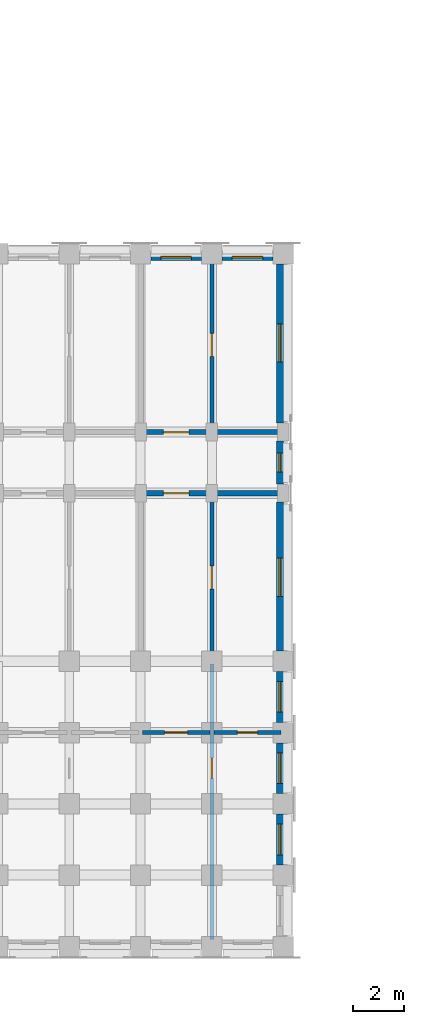
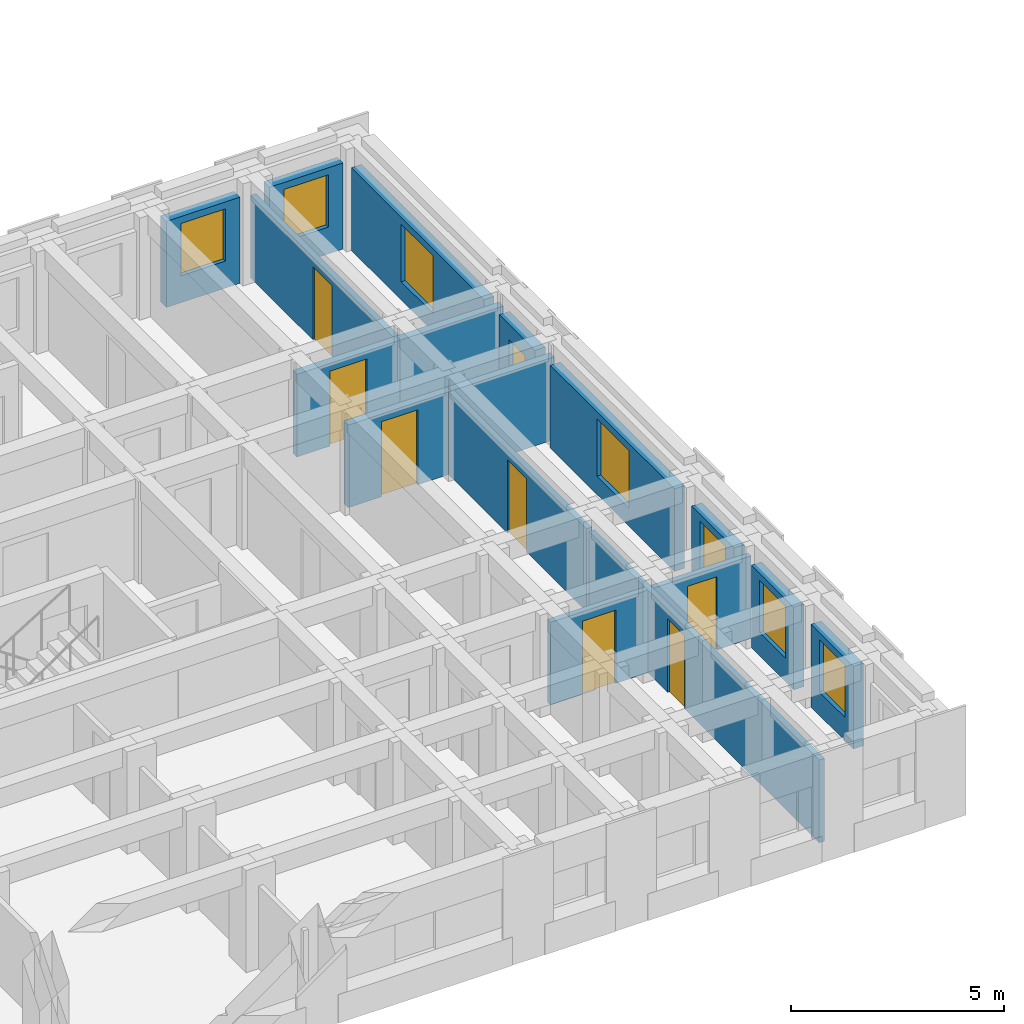
# One storey, part 21 of 54: 17 walls, 8 windows, 7 doors, 15 openings.
"""IFC4 building model written with IfcOpenShell, lengths in metres."""

from ifc_helpers import new_model, si_unit, direction, frame, frame_2d, origin, place, context, subcontext, project, spatial, rectangle, extrude, material, layer, layer_set, type_object, element, fill, save


model = new_model("IFC4")

# Units and contexts
model_context = context("Model", 3, precision=1e-05, world=origin(), true_north=direction((0.0, 1.0)))
body_context = subcontext(model_context, "Body", "Model", "MODEL_VIEW")
ifc_project = project(units=[si_unit("LENGTHUNIT", "METRE"), si_unit("AREAUNIT", "SQUARE_METRE"), si_unit("VOLUMEUNIT", "CUBIC_METRE"), si_unit("PLANEANGLEUNIT", "RADIAN"), si_unit("MASSUNIT", "GRAM", prefix="KILO")], contexts=[model_context])

# Site, building, storey
site_placement = place(None, origin())
site = spatial("IfcSite", under=ifc_project, at=site_placement, CompositionType="ELEMENT")
building_placement = place(site_placement, origin())
building = spatial("IfcBuilding", under=site, at=building_placement, Name="Kiranvali Square Residences", CompositionType="ELEMENT")
storey_placement = place(building_placement, frame((0.0, 0.0, 15.0)))
storey = spatial("IfcBuildingStorey", under=building, at=storey_placement, Name="L04", CompositionType="ELEMENT", Elevation=15.0)

# Wall, opening, door
ifc_material_1 = material(Name="Autoclaved aerated concrete blockwork masonry", Category="masonry")
ifc_layer_1 = layer(ifc_material_1, 0.199951171875)
ifc_layer_set_1 = layer_set([ifc_layer_1], Name="Autoclaved aerated concrete blockwork masonry")
wall_type_1 = type_object("IfcWallType", Name="WL-COR-200", PredefinedType="STANDARD", material=ifc_layer_set_1)
wall_1_placement = place(storey_placement, frame((65.0, 22.39990234375, 0.0), z_axis=(0.0, 0.0, 1.0), x_axis=(1.0, 0.0, 0.0)))
wall_1 = element("IfcWall", 1, at=wall_1_placement, inside=storey, type_object=wall_type_1, Name="L04 architectural wall WL-L04-C-A1CI-2", PredefinedType="STANDARD", context=body_context, shape_type="SweptSolid", body=[
    extrude(rectangle(XDim=2.800048828125, YDim=0.199951171875, at=frame_2d((1.39990234375, 0.0))), origin(), (0.0, 0.0, 1.0), 2.3720703125),
])
opening_1_placement = place(wall_1_placement, frame((0.89990234375, 0.0, 0.0)))
opening_1 = element("IfcOpeningElement", 2, at=opening_1_placement, cuts=wall_1, Name="Opening FD-APT-60", PredefinedType="OPENING", context=body_context, shape_type="SweptSolid", body=[
    extrude(rectangle(XDim=1.0, YDim=2.14990234375, at=frame_2d((0.5, 1.074951171875))), frame((0.0, 0.10986328125, 0.0), z_axis=(0.0, -1.0, 0.0), x_axis=(1.0, 0.0, 0.0)), (0.0, 0.0, 1.0), 0.219970703125),
])
ifc_material_2 = material(Name="Fire-rated acoustic hardwood and mineral-core door assembly", Category="wood")
door_type_1 = type_object("IfcDoorType", Name="DR-APT-1000", OperationType="NOTDEFINED", PredefinedType="DOOR", material=ifc_material_2)
door_1_placement = place(opening_1_placement, frame((1.0, 0.0, 0.0), z_axis=(0.0, 0.0, 1.0), x_axis=(-1.0, 0.0, 0.0)))
door_1 = element("IfcDoor", 3, at=door_1_placement, inside=storey, type_object=door_type_1, Name="L04 door DR-L04-1982 (DR-APT-1000)", OperationType="SINGLE_SWING_RIGHT", OverallHeight=2.14990234375, OverallWidth=1.0, PredefinedType="DOOR", context=body_context, shape_type="SweptSolid", body=[
    extrude(rectangle(XDim=1.0, YDim=2.14990234375, at=frame_2d((0.5, 1.074951171875))), frame((0.0, 0.02490234375, 0.0), z_axis=(0.0, -1.0, 0.0), x_axis=(1.0, 0.0, 0.0)), (0.0, 0.0, 1.0), 0.050048828125),
])
fill(opening_1, door_1)

wall_2_placement = place(storey_placement, frame((65.0, 20.0, 0.0), z_axis=(0.0, 0.0, 1.0), x_axis=(1.0, 0.0, 0.0)))
wall_2 = element("IfcWall", 4, at=wall_2_placement, inside=storey, type_object=wall_type_1, Name="L04 architectural wall WL-L04-C-A1CO-2", PredefinedType="STANDARD", context=body_context, shape_type="SweptSolid", body=[
    extrude(rectangle(XDim=2.800048828125, YDim=0.199951171875, at=frame_2d((1.39990234375, 0.0))), origin(), (0.0, 0.0, 1.0), 2.3720703125),
])
opening_2_placement = place(wall_2_placement, frame((0.89990234375, 0.0, 0.0)))
opening_2 = element("IfcOpeningElement", 5, at=opening_2_placement, cuts=wall_2, Name="Opening FD-APT-60", PredefinedType="OPENING", context=body_context, shape_type="SweptSolid", body=[
    extrude(rectangle(XDim=1.0, YDim=2.14990234375, at=frame_2d((0.5, 1.074951171875))), frame((0.0, 0.10986328125, 0.0), z_axis=(0.0, -1.0, 0.0), x_axis=(1.0, 0.0, 0.0)), (0.0, 0.0, 1.0), 0.219970703125),
])
door_2_placement = place(opening_2_placement, frame((1.0, 0.0, 0.0), z_axis=(0.0, 0.0, 1.0), x_axis=(-1.0, 0.0, 0.0)))
door_2 = element("IfcDoor", 6, at=door_2_placement, inside=storey, type_object=door_type_1, Name="L04 door DR-L04-1984 (DR-APT-1000)", OperationType="SINGLE_SWING_RIGHT", OverallHeight=2.14990234375, OverallWidth=1.0, PredefinedType="DOOR", context=body_context, shape_type="SweptSolid", body=[
    extrude(rectangle(XDim=1.0, YDim=2.14990234375, at=frame_2d((0.5, 1.074951171875))), frame((0.0, 0.02490234375, 0.0), z_axis=(0.0, -1.0, 0.0), x_axis=(1.0, 0.0, 0.0)), (0.0, 0.0, 1.0), 0.050048828125),
])
fill(opening_2, door_2)

# Walls
for number, where, z_axis, x_axis, name in (
    (7, (67.800048828125, 22.39990234375, 0.0), (0.0, 0.0, 1.0), (1.0, 0.0, 0.0), "L04 architectural wall WL-L04-C-A1CI-3"),
    (8, (67.800048828125, 20.0, 0.0), (0.0, 0.0, 1.0), (1.0, 0.0, 0.0), "L04 architectural wall WL-L04-C-A1CO-3"),
):
    element("IfcWall", number, at=place(storey_placement, frame(where, z_axis=z_axis, x_axis=x_axis)), inside=storey, type_object=wall_type_1, Name=name, PredefinedType="STANDARD", context=body_context, shape_type="SweptSolid", body=[
        extrude(rectangle(XDim=2.800048828125, YDim=0.199951171875, at=frame_2d((1.39990234375, 0.0))), origin(), (0.0, 0.0, 1.0), 2.3720703125),
    ])

# Wall, opening, window
ifc_material_3 = material(Name="Breathable lime-rendered clay brick masonry", Category="masonry")
ifc_layer_2 = layer(ifc_material_3, 0.27490234375)
ifc_layer_set_2 = layer_set([ifc_layer_2], Name="Breathable lime-rendered clay brick masonry")
wall_type_2 = type_object("IfcWallType", Name="WL-EXT-275", PredefinedType="STANDARD", material=ifc_layer_set_2)
wall_3_placement = place(storey_placement, frame((65.403564453125, 29.27490234375, 0.0), z_axis=(0.0, 0.0, 1.0), x_axis=(1.0, 0.0, 0.0)))
wall_3 = element("IfcWall", 9, at=wall_3_placement, inside=storey, type_object=wall_type_2, Name="L04 exterior wall C-L04-A1I-2", PredefinedType="STANDARD", context=body_context, shape_type="SweptSolid", body=[
    extrude(rectangle(XDim=1.992919921875, YDim=0.27490234375, at=frame_2d((0.99658203125, 0.0))), origin(), (0.0, 0.0, 1.0), 2.471923828125),
])
opening_3_placement = place(wall_3_placement, frame((0.396484375, 0.0, 0.77197265625)))
opening_3 = element("IfcOpeningElement", 10, at=opening_3_placement, cuts=wall_3, Name="Opening W-06", PredefinedType="OPENING", context=body_context, shape_type="SweptSolid", body=[
    extrude(rectangle(XDim=1.199951171875, YDim=1.5, at=frame_2d((0.60009765625, 0.75))), frame((0.0, 0.1474609375, 0.0), z_axis=(0.0, -1.0, 0.0), x_axis=(1.0, 0.0, 0.0)), (0.0, 0.0, 1.0), 0.294921875),
])
ifc_material_4 = material(Name="Solar-control low-e double glazing", Category="glass")
window_type_1 = type_object("IfcWindowType", Name="WIN-RES-1200x1500", PartitioningType="SINGLE_PANEL", PredefinedType="WINDOW", material=ifc_material_4)
window_1_placement = place(opening_3_placement, origin())
window_1 = element("IfcWindow", 11, at=window_1_placement, inside=storey, type_object=window_type_1, Name="L04 recessed window C-L04-A1I-2", OverallHeight=1.5, OverallWidth=1.199951171875, PartitioningType="SINGLE_PANEL", PredefinedType="WINDOW", context=body_context, shape_type="SweptSolid", body=[
    extrude(rectangle(XDim=1.199951171875, YDim=1.5, at=frame_2d((0.60009765625, 0.75))), frame((0.0, 0.030029296875, 0.0), z_axis=(0.0, -1.0, 0.0), x_axis=(1.0, 0.0, 0.0)), (0.0, 0.0, 1.0), 0.06005859375),
])
fill(opening_3, window_1)

wall_4_placement = place(storey_placement, frame((68.20361328125, 29.27490234375, 0.0), z_axis=(0.0, 0.0, 1.0), x_axis=(1.0, 0.0, 0.0)))
wall_4 = element("IfcWall", 12, at=wall_4_placement, inside=storey, type_object=wall_type_2, Name="L04 exterior wall C-L04-A1I-3", PredefinedType="STANDARD", context=body_context, shape_type="SweptSolid", body=[
    extrude(rectangle(XDim=1.992919921875, YDim=0.27490234375, at=frame_2d((0.99658203125, 0.0))), origin(), (0.0, 0.0, 1.0), 2.471923828125),
])
opening_4_placement = place(wall_4_placement, frame((0.396484375, 0.0, 0.77197265625)))
opening_4 = element("IfcOpeningElement", 13, at=opening_4_placement, cuts=wall_4, Name="Opening W-06", PredefinedType="OPENING", context=body_context, shape_type="SweptSolid", body=[
    extrude(rectangle(XDim=1.199951171875, YDim=1.5, at=frame_2d((0.60009765625, 0.75))), frame((0.0, 0.1474609375, 0.0), z_axis=(0.0, -1.0, 0.0), x_axis=(1.0, 0.0, 0.0)), (0.0, 0.0, 1.0), 0.294921875),
])
window_2_placement = place(opening_4_placement, origin())
window_2 = element("IfcWindow", 14, at=window_2_placement, inside=storey, type_object=window_type_1, Name="L04 recessed window C-L04-A1I-3", OverallHeight=1.5, OverallWidth=1.199951171875, PartitioningType="SINGLE_PANEL", PredefinedType="WINDOW", context=body_context, shape_type="SweptSolid", body=[
    extrude(rectangle(XDim=1.199951171875, YDim=1.5, at=frame_2d((0.60009765625, 0.75))), frame((0.0, 0.030029296875, 0.0), z_axis=(0.0, -1.0, 0.0), x_axis=(1.0, 0.0, 0.0)), (0.0, 0.0, 1.0), 0.06005859375),
])
fill(opening_4, window_2)

wall_5_placement = place(storey_placement, frame((70.47509765625, 28.99658203125, 0.0), z_axis=(0.0, 0.0, 1.0), x_axis=(0.0, -1.0, 0.0)))
wall_5 = element("IfcWall", 15, at=wall_5_placement, inside=storey, type_object=wall_type_2, Name="L04 exterior wall C-L04-A1END-0", PredefinedType="STANDARD", context=body_context, shape_type="SweptSolid", body=[
    extrude(rectangle(XDim=6.2431640625, YDim=0.27490234375, at=frame_2d((3.12158203125, 0.0))), origin(), (0.0, 0.0, 1.0), 2.3720703125),
])
opening_5_placement = place(wall_5_placement, frame((2.346435546875, 0.0, 0.52197265625)))
opening_5 = element("IfcOpeningElement", 16, at=opening_5_placement, cuts=wall_5, Name="Opening W-05", PredefinedType="OPENING", context=body_context, shape_type="SweptSolid", body=[
    extrude(rectangle(XDim=1.5, YDim=1.64990234375, at=frame_2d((0.75, 0.824951171875))), frame((0.0, 0.1474609375, 0.0), z_axis=(0.0, -1.0, 0.0), x_axis=(1.0, 0.0, 0.0)), (0.0, 0.0, 1.0), 0.294921875),
])
window_type_2 = type_object("IfcWindowType", Name="WIN-RES-1500x1650", PartitioningType="DOUBLE_PANEL_VERTICAL", PredefinedType="WINDOW", material=ifc_material_4)
window_3_placement = place(opening_5_placement, origin())
window_3 = element("IfcWindow", 17, at=window_3_placement, inside=storey, type_object=window_type_2, Name="L04 recessed window C-L04-A1END-0", OverallHeight=1.64990234375, OverallWidth=1.5, PartitioningType="DOUBLE_PANEL_VERTICAL", PredefinedType="WINDOW", context=body_context, shape_type="SweptSolid", body=[
    extrude(rectangle(XDim=1.5, YDim=1.64990234375, at=frame_2d((0.75, 0.824951171875))), frame((0.0, 0.030029296875, 0.0), z_axis=(0.0, -1.0, 0.0), x_axis=(1.0, 0.0, 0.0)), (0.0, 0.0, 1.0), 0.06005859375),
])
fill(opening_5, window_3)

wall_6_placement = place(storey_placement, frame((70.47509765625, 22.04638671875, 0.0), z_axis=(0.0, 0.0, 1.0), x_axis=(0.0, -1.0, 0.0)))
wall_6 = element("IfcWall", 18, at=wall_6_placement, inside=storey, type_object=wall_type_2, Name="L04 exterior wall C-L04-A1END-1", PredefinedType="STANDARD", context=body_context, shape_type="SweptSolid", body=[
    extrude(rectangle(XDim=1.69287109375, YDim=0.27490234375, at=frame_2d((0.846435546875, 0.0))), origin(), (0.0, 0.0, 1.0), 2.3720703125),
])
opening_6_placement = place(wall_6_placement, frame((0.471435546875, 0.0, 0.8798828125)))
opening_6 = element("IfcOpeningElement", 19, at=opening_6_placement, cuts=wall_6, Name="Opening W-07", PredefinedType="OPENING", context=body_context, shape_type="SweptSolid", body=[
    extrude(rectangle(XDim=0.75, YDim=1.050048828125, at=frame_2d((0.375, 0.52490234375))), frame((0.0, 0.1474609375, 0.0), z_axis=(0.0, -1.0, 0.0), x_axis=(1.0, 0.0, 0.0)), (0.0, 0.0, 1.0), 0.294921875),
])
window_type_3 = type_object("IfcWindowType", Name="WIN-WET-750x1050", PartitioningType="SINGLE_PANEL", PredefinedType="WINDOW", material=ifc_material_4)
window_4_placement = place(opening_6_placement, origin())
window_4 = element("IfcWindow", 20, at=window_4_placement, inside=storey, type_object=window_type_3, Name="L04 recessed window C-L04-A1END-1", OverallHeight=1.050048828125, OverallWidth=0.75, PartitioningType="SINGLE_PANEL", PredefinedType="WINDOW", context=body_context, shape_type="SweptSolid", body=[
    extrude(rectangle(XDim=0.75, YDim=1.050048828125, at=frame_2d((0.375, 0.52490234375))), frame((0.0, 0.030029296875, 0.0), z_axis=(0.0, -1.0, 0.0), x_axis=(1.0, 0.0, 0.0)), (0.0, 0.0, 1.0), 0.06005859375),
])
fill(opening_6, window_4)

wall_7_placement = place(storey_placement, frame((70.47509765625, 19.646484375, 0.0), z_axis=(0.0, 0.0, 1.0), x_axis=(0.0, -1.0, 0.0)))
wall_7 = element("IfcWall", 21, at=wall_7_placement, inside=storey, type_object=wall_type_2, Name="L04 exterior wall C-L04-A1END-2", PredefinedType="STANDARD", context=body_context, shape_type="SweptSolid", body=[
    extrude(rectangle(XDim=5.843017578125, YDim=0.27490234375, at=frame_2d((2.92138671875, 0.0))), origin(), (0.0, 0.0, 1.0), 2.3720703125),
])
opening_7_placement = place(wall_7_placement, frame((2.196533203125, 0.0, 0.52197265625)))
opening_7 = element("IfcOpeningElement", 22, at=opening_7_placement, cuts=wall_7, Name="Opening W-05", PredefinedType="OPENING", context=body_context, shape_type="SweptSolid", body=[
    extrude(rectangle(XDim=1.5, YDim=1.64990234375, at=frame_2d((0.75, 0.824951171875))), frame((0.0, 0.1474609375, 0.0), z_axis=(0.0, -1.0, 0.0), x_axis=(1.0, 0.0, 0.0)), (0.0, 0.0, 1.0), 0.294921875),
])
window_5_placement = place(opening_7_placement, origin())
window_5 = element("IfcWindow", 23, at=window_5_placement, inside=storey, type_object=window_type_2, Name="L04 recessed window C-L04-A1END-2", OverallHeight=1.64990234375, OverallWidth=1.5, PartitioningType="DOUBLE_PANEL_VERTICAL", PredefinedType="WINDOW", context=body_context, shape_type="SweptSolid", body=[
    extrude(rectangle(XDim=1.5, YDim=1.64990234375, at=frame_2d((0.75, 0.824951171875))), frame((0.0, 0.030029296875, 0.0), z_axis=(0.0, -1.0, 0.0), x_axis=(1.0, 0.0, 0.0)), (0.0, 0.0, 1.0), 0.06005859375),
])
fill(opening_7, window_5)

wall_8_placement = place(storey_placement, frame((70.47509765625, 12.99658203125, 0.0), z_axis=(0.0, 0.0, 1.0), x_axis=(0.0, -1.0, 0.0)))
wall_8 = element("IfcWall", 24, at=wall_8_placement, inside=storey, type_object=wall_type_2, Name="L04 exterior wall C-L04-A1END-3", PredefinedType="STANDARD", context=body_context, shape_type="SweptSolid", body=[
    extrude(rectangle(XDim=1.9931640625, YDim=0.27490234375, at=frame_2d((0.99658203125, 0.0))), origin(), (0.0, 0.0, 1.0), 2.3720703125),
])
opening_8_placement = place(wall_8_placement, frame((0.396484375, 0.0, 0.672119140625)))
opening_8 = element("IfcOpeningElement", 25, at=opening_8_placement, cuts=wall_8, Name="Opening W-06", PredefinedType="OPENING", context=body_context, shape_type="SweptSolid", body=[
    extrude(rectangle(XDim=1.199951171875, YDim=1.5, at=frame_2d((0.60009765625, 0.75))), frame((0.0, 0.1474609375, 0.0), z_axis=(0.0, -1.0, 0.0), x_axis=(1.0, 0.0, 0.0)), (0.0, 0.0, 1.0), 0.294921875),
])
window_6_placement = place(opening_8_placement, origin())
window_6 = element("IfcWindow", 26, at=window_6_placement, inside=storey, type_object=window_type_1, Name="L04 recessed window C-L04-A1END-3", OverallHeight=1.5, OverallWidth=1.199951171875, PartitioningType="SINGLE_PANEL", PredefinedType="WINDOW", context=body_context, shape_type="SweptSolid", body=[
    extrude(rectangle(XDim=1.199951171875, YDim=1.5, at=frame_2d((0.60009765625, 0.75))), frame((0.0, 0.030029296875, 0.0), z_axis=(0.0, -1.0, 0.0), x_axis=(1.0, 0.0, 0.0)), (0.0, 0.0, 1.0), 0.06005859375),
])
fill(opening_8, window_6)

wall_9_placement = place(storey_placement, frame((70.47509765625, 10.196533203125, 0.0), z_axis=(0.0, 0.0, 1.0), x_axis=(0.0, -1.0, 0.0)))
wall_9 = element("IfcWall", 27, at=wall_9_placement, inside=storey, type_object=wall_type_2, Name="L04 exterior wall C-L04-A1END-4", PredefinedType="STANDARD", context=body_context, shape_type="SweptSolid", body=[
    extrude(rectangle(XDim=1.992919921875, YDim=0.27490234375, at=frame_2d((0.99658203125, 0.0))), origin(), (0.0, 0.0, 1.0), 2.3720703125),
])
opening_9_placement = place(wall_9_placement, frame((0.396484375, 0.0, 0.672119140625)))
opening_9 = element("IfcOpeningElement", 28, at=opening_9_placement, cuts=wall_9, Name="Opening W-06", PredefinedType="OPENING", context=body_context, shape_type="SweptSolid", body=[
    extrude(rectangle(XDim=1.199951171875, YDim=1.5, at=frame_2d((0.60009765625, 0.75))), frame((0.0, 0.1474609375, 0.0), z_axis=(0.0, -1.0, 0.0), x_axis=(1.0, 0.0, 0.0)), (0.0, 0.0, 1.0), 0.294921875),
])
window_7_placement = place(opening_9_placement, origin())
window_7 = element("IfcWindow", 29, at=window_7_placement, inside=storey, type_object=window_type_1, Name="L04 recessed window C-L04-A1END-4", OverallHeight=1.5, OverallWidth=1.199951171875, PartitioningType="SINGLE_PANEL", PredefinedType="WINDOW", context=body_context, shape_type="SweptSolid", body=[
    extrude(rectangle(XDim=1.199951171875, YDim=1.5, at=frame_2d((0.60009765625, 0.75))), frame((0.0, 0.030029296875, 0.0), z_axis=(0.0, -1.0, 0.0), x_axis=(1.0, 0.0, 0.0)), (0.0, 0.0, 1.0), 0.06005859375),
])
fill(opening_9, window_7)

wall_10_placement = place(storey_placement, frame((70.47509765625, 7.396484375, 0.0), z_axis=(0.0, 0.0, 1.0), x_axis=(0.0, -1.0, 0.0)))
wall_10 = element("IfcWall", 30, at=wall_10_placement, inside=storey, type_object=wall_type_2, Name="L04 exterior wall C-L04-A1END-5", PredefinedType="STANDARD", context=body_context, shape_type="SweptSolid", body=[
    extrude(rectangle(XDim=1.992919921875, YDim=0.27490234375, at=frame_2d((0.99658203125, 0.0))), origin(), (0.0, 0.0, 1.0), 2.3720703125),
])
opening_10_placement = place(wall_10_placement, frame((0.396484375, 0.0, 0.672119140625)))
opening_10 = element("IfcOpeningElement", 31, at=opening_10_placement, cuts=wall_10, Name="Opening W-06", PredefinedType="OPENING", context=body_context, shape_type="SweptSolid", body=[
    extrude(rectangle(XDim=1.199951171875, YDim=1.5, at=frame_2d((0.60009765625, 0.75))), frame((0.0, 0.1474609375, 0.0), z_axis=(0.0, -1.0, 0.0), x_axis=(1.0, 0.0, 0.0)), (0.0, 0.0, 1.0), 0.294921875),
])
window_8_placement = place(opening_10_placement, origin())
window_8 = element("IfcWindow", 32, at=window_8_placement, inside=storey, type_object=window_type_1, Name="L04 recessed window C-L04-A1END-5", OverallHeight=1.5, OverallWidth=1.199951171875, PartitioningType="SINGLE_PANEL", PredefinedType="WINDOW", context=body_context, shape_type="SweptSolid", body=[
    extrude(rectangle(XDim=1.199951171875, YDim=1.5, at=frame_2d((0.60009765625, 0.75))), frame((0.0, 0.030029296875, 0.0), z_axis=(0.0, -1.0, 0.0), x_axis=(1.0, 0.0, 0.0)), (0.0, 0.0, 1.0), 0.06005859375),
])
fill(opening_10, window_8)

# Wall, opening, door
ifc_material_5 = material(Name="Acoustic gypsum board drylined partition", Category="gypsum")
ifc_layer_3 = layer(ifc_material_5, 0.14990234375)
ifc_layer_set_3 = layer_set([ifc_layer_3], Name="Acoustic gypsum board drylined partition")
wall_type_3 = type_object("IfcWallType", Name="WL-PRT-150", PredefinedType="PARTITIONING", material=ifc_layer_set_3)
wall_11_placement = place(storey_placement, frame((67.800048828125, 29.199951171875, 0.0), z_axis=(0.0, 0.0, 1.0), x_axis=(0.0, -1.0, 0.0)))
wall_11 = element("IfcWall", 33, at=wall_11_placement, inside=storey, type_object=wall_type_3, Name="L04 architectural wall WL-L04-C-A1TI-3", PredefinedType="PARTITIONING", context=body_context, shape_type="SweptSolid", body=[
    extrude(rectangle(XDim=6.75, YDim=0.14990234375, at=frame_2d((3.375, 0.0))), origin(), (0.0, 0.0, 1.0), 2.3720703125),
])
opening_11_placement = place(wall_11_placement, frame((2.925048828125, 0.0, 0.0)))
opening_11 = element("IfcOpeningElement", 34, at=opening_11_placement, cuts=wall_11, Name="Opening ID-1", PredefinedType="OPENING", context=body_context, shape_type="SweptSolid", body=[
    extrude(rectangle(XDim=0.89990234375, YDim=2.10009765625, at=frame_2d((0.449951171875, 1.050048828125))), frame((0.0, 0.0849609375, 0.0), z_axis=(0.0, -1.0, 0.0), x_axis=(1.0, 0.0, 0.0)), (0.0, 0.0, 1.0), 0.169921875),
])
ifc_material_6 = material(Name="Solid seasoned teak hardwood joinery", Category="wood")
door_type_2 = type_object("IfcDoorType", Name="DR-INT-900", OperationType="NOTDEFINED", PredefinedType="DOOR", material=ifc_material_6)
door_3_placement = place(opening_11_placement, frame((0.89990234375, 0.0, 0.0), z_axis=(0.0, 0.0, 1.0), x_axis=(-1.0, 0.0, 0.0)))
door_3 = element("IfcDoor", 35, at=door_3_placement, inside=storey, type_object=door_type_2, Name="L04 door DR-L04-1990 (DR-INT-900)", OperationType="SINGLE_SWING_RIGHT", OverallHeight=2.10009765625, OverallWidth=0.89990234375, PredefinedType="DOOR", context=body_context, shape_type="SweptSolid", body=[
    extrude(rectangle(XDim=0.89990234375, YDim=2.10009765625, at=frame_2d((0.449951171875, 1.050048828125))), frame((0.0, 0.02490234375, 0.0), z_axis=(0.0, -1.0, 0.0), x_axis=(1.0, 0.0, 0.0)), (0.0, 0.0, 1.0), 0.050048828125),
])
fill(opening_11, door_3)

wall_12_placement = place(storey_placement, frame((67.800048828125, 19.949951171875, 0.0), z_axis=(0.0, 0.0, 1.0), x_axis=(0.0, -1.0, 0.0)))
wall_12 = element("IfcWall", 36, at=wall_12_placement, inside=storey, type_object=wall_type_3, Name="L04 architectural wall WL-L04-C-A1TO1-3", PredefinedType="PARTITIONING", context=body_context, shape_type="SweptSolid", body=[
    extrude(rectangle(XDim=6.530029296875, YDim=0.14990234375, at=frame_2d((3.26513671875, 0.0))), origin(), (0.0, 0.0, 1.0), 2.3720703125),
])
opening_12_placement = place(wall_12_placement, frame((2.81494140625, 0.0, 0.0)))
opening_12 = element("IfcOpeningElement", 37, at=opening_12_placement, cuts=wall_12, Name="Opening ID-1", PredefinedType="OPENING", context=body_context, shape_type="SweptSolid", body=[
    extrude(rectangle(XDim=0.89990234375, YDim=2.10009765625, at=frame_2d((0.449951171875, 1.050048828125))), frame((0.0, 0.0849609375, 0.0), z_axis=(0.0, -1.0, 0.0), x_axis=(1.0, 0.0, 0.0)), (0.0, 0.0, 1.0), 0.169921875),
])
door_4_placement = place(opening_12_placement, origin())
door_4 = element("IfcDoor", 38, at=door_4_placement, inside=storey, type_object=door_type_2, Name="L04 door DR-L04-1991 (DR-INT-900)", OperationType="SINGLE_SWING_LEFT", OverallHeight=2.10009765625, OverallWidth=0.89990234375, PredefinedType="DOOR", context=body_context, shape_type="SweptSolid", body=[
    extrude(rectangle(XDim=0.89990234375, YDim=2.10009765625, at=frame_2d((0.449951171875, 1.050048828125))), frame((0.0, 0.02490234375, 0.0), z_axis=(0.0, -1.0, 0.0), x_axis=(1.0, 0.0, 0.0)), (0.0, 0.0, 1.0), 0.050048828125),
])
fill(opening_12, door_4)

wall_13_placement = place(storey_placement, frame((67.800048828125, 13.300048828125, 0.0), z_axis=(0.0, 0.0, 1.0), x_axis=(0.0, -1.0, 0.0)))
wall_13 = element("IfcWall", 39, at=wall_13_placement, inside=storey, type_object=wall_type_3, Name="L04 architectural wall WL-L04-C-A1TO2-3", PredefinedType="PARTITIONING", context=body_context, shape_type="SweptSolid", body=[
    extrude(rectangle(XDim=10.820068359375, YDim=0.14990234375, at=frame_2d((5.41015625, 0.0))), origin(), (0.0, 0.0, 1.0), 2.3720703125),
])
opening_13_placement = place(wall_13_placement, frame((3.69970703125, 0.0, 0.0)))
opening_13 = element("IfcOpeningElement", 40, at=opening_13_placement, cuts=wall_13, Name="Opening ID-WET", PredefinedType="OPENING", context=body_context, shape_type="SweptSolid", body=[
    extrude(rectangle(XDim=0.800048828125, YDim=2.10009765625, at=frame_2d((0.39990234375, 1.050048828125))), frame((0.0, 0.0849609375, 0.0), z_axis=(0.0, -1.0, 0.0), x_axis=(1.0, 0.0, 0.0)), (0.0, 0.0, 1.0), 0.169921875),
])
door_type_3 = type_object("IfcDoorType", Name="DR-WET-800", OperationType="NOTDEFINED", PredefinedType="DOOR", material=ifc_material_6)
door_5_placement = place(opening_13_placement, frame((0.800048828125, 0.0, 0.0), z_axis=(0.0, 0.0, 1.0), x_axis=(-1.0, 0.0, 0.0)))
door_5 = element("IfcDoor", 41, at=door_5_placement, inside=storey, type_object=door_type_3, Name="L04 door DR-L04-1992 (DR-WET-800)", OperationType="SINGLE_SWING_RIGHT", OverallHeight=2.10009765625, OverallWidth=0.800048828125, PredefinedType="DOOR", context=body_context, shape_type="SweptSolid", body=[
    extrude(rectangle(XDim=0.800048828125, YDim=2.10009765625, at=frame_2d((0.39990234375, 1.050048828125))), frame((0.0, 0.02490234375, 0.0), z_axis=(0.0, -1.0, 0.0), x_axis=(1.0, 0.0, 0.0)), (0.0, 0.0, 1.0), 0.050048828125),
])
fill(opening_13, door_5)

ifc_layer_4 = layer(ifc_material_1, 0.14990234375)
ifc_layer_set_4 = layer_set([ifc_layer_4], Name="Autoclaved aerated concrete blockwork masonry")
wall_type_4 = type_object("IfcWallType", Name="WL-WET-150", PredefinedType="PLUMBINGWALL", material=ifc_layer_set_4)
wall_14_placement = place(storey_placement, frame((65.080078125, 10.60009765625, 0.0), z_axis=(0.0, 0.0, 1.0), x_axis=(1.0, 0.0, 0.0)))
wall_14 = element("IfcWall", 42, at=wall_14_placement, inside=storey, type_object=wall_type_4, Name="L04 architectural wall WL-L04-C-A1SP-2", PredefinedType="PLUMBINGWALL", context=body_context, shape_type="SweptSolid", body=[
    extrude(rectangle(XDim=2.639892578125, YDim=0.14990234375, at=frame_2d((1.31982421875, 0.0))), origin(), (0.0, 0.0, 1.0), 2.3720703125),
])
opening_14_placement = place(wall_14_placement, frame((0.8701171875, 0.0, 0.0)))
opening_14 = element("IfcOpeningElement", 43, at=opening_14_placement, cuts=wall_14, Name="Opening ID-1", PredefinedType="OPENING", context=body_context, shape_type="SweptSolid", body=[
    extrude(rectangle(XDim=0.89990234375, YDim=2.10009765625, at=frame_2d((0.449951171875, 1.050048828125))), frame((0.0, 0.0849609375, 0.0), z_axis=(0.0, -1.0, 0.0), x_axis=(1.0, 0.0, 0.0)), (0.0, 0.0, 1.0), 0.169921875),
])
door_6_placement = place(opening_14_placement, origin())
door_6 = element("IfcDoor", 44, at=door_6_placement, inside=storey, type_object=door_type_2, Name="L04 door DR-L04-1983 (DR-INT-900)", OperationType="SINGLE_SWING_LEFT", OverallHeight=2.10009765625, OverallWidth=0.89990234375, PredefinedType="DOOR", context=body_context, shape_type="SweptSolid", body=[
    extrude(rectangle(XDim=0.89990234375, YDim=2.10009765625, at=frame_2d((0.449951171875, 1.050048828125))), frame((0.0, 0.02490234375, 0.0), z_axis=(0.0, -1.0, 0.0), x_axis=(1.0, 0.0, 0.0)), (0.0, 0.0, 1.0), 0.050048828125),
])
fill(opening_14, door_6)

wall_15_placement = place(storey_placement, frame((67.8798828125, 10.60009765625, 0.0), z_axis=(0.0, 0.0, 1.0), x_axis=(1.0, 0.0, 0.0)))
wall_15 = element("IfcWall", 45, at=wall_15_placement, inside=storey, type_object=wall_type_4, Name="L04 architectural wall WL-L04-C-A1SP-3", PredefinedType="PLUMBINGWALL", context=body_context, shape_type="SweptSolid", body=[
    extrude(rectangle(XDim=2.64013671875, YDim=0.14990234375, at=frame_2d((1.320068359375, 0.0))), origin(), (0.0, 0.0, 1.0), 2.3720703125),
])
opening_15_placement = place(wall_15_placement, frame((0.919921875, 0.0, 0.0)))
opening_15 = element("IfcOpeningElement", 46, at=opening_15_placement, cuts=wall_15, Name="Opening ID-WET", PredefinedType="OPENING", context=body_context, shape_type="SweptSolid", body=[
    extrude(rectangle(XDim=0.800048828125, YDim=2.10009765625, at=frame_2d((0.39990234375, 1.050048828125))), frame((0.0, 0.0849609375, 0.0), z_axis=(0.0, -1.0, 0.0), x_axis=(1.0, 0.0, 0.0)), (0.0, 0.0, 1.0), 0.169921875),
])
door_7_placement = place(opening_15_placement, origin())
door_7 = element("IfcDoor", 47, at=door_7_placement, inside=storey, type_object=door_type_3, Name="L04 door DR-L04-1985 (DR-WET-800)", OperationType="SINGLE_SWING_LEFT", OverallHeight=2.10009765625, OverallWidth=0.800048828125, PredefinedType="DOOR", context=body_context, shape_type="SweptSolid", body=[
    extrude(rectangle(XDim=0.800048828125, YDim=2.10009765625, at=frame_2d((0.39990234375, 1.050048828125))), frame((0.0, 0.02490234375, 0.0), z_axis=(0.0, -1.0, 0.0), x_axis=(1.0, 0.0, 0.0)), (0.0, 0.0, 1.0), 0.050048828125),
])
fill(opening_15, door_7)

save(model, "model.ifc")
